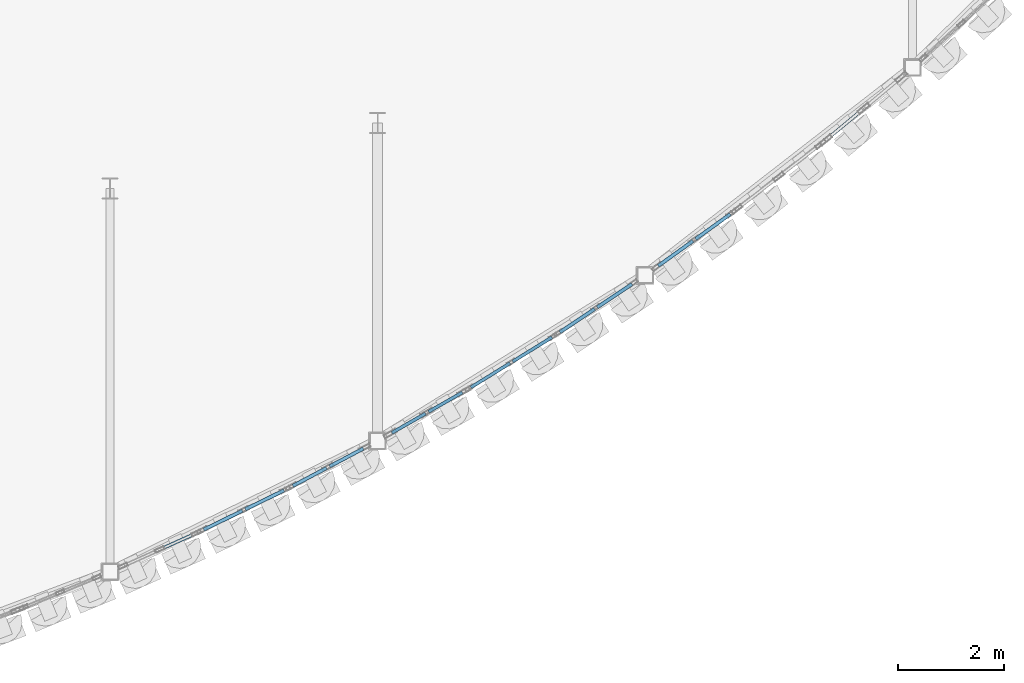
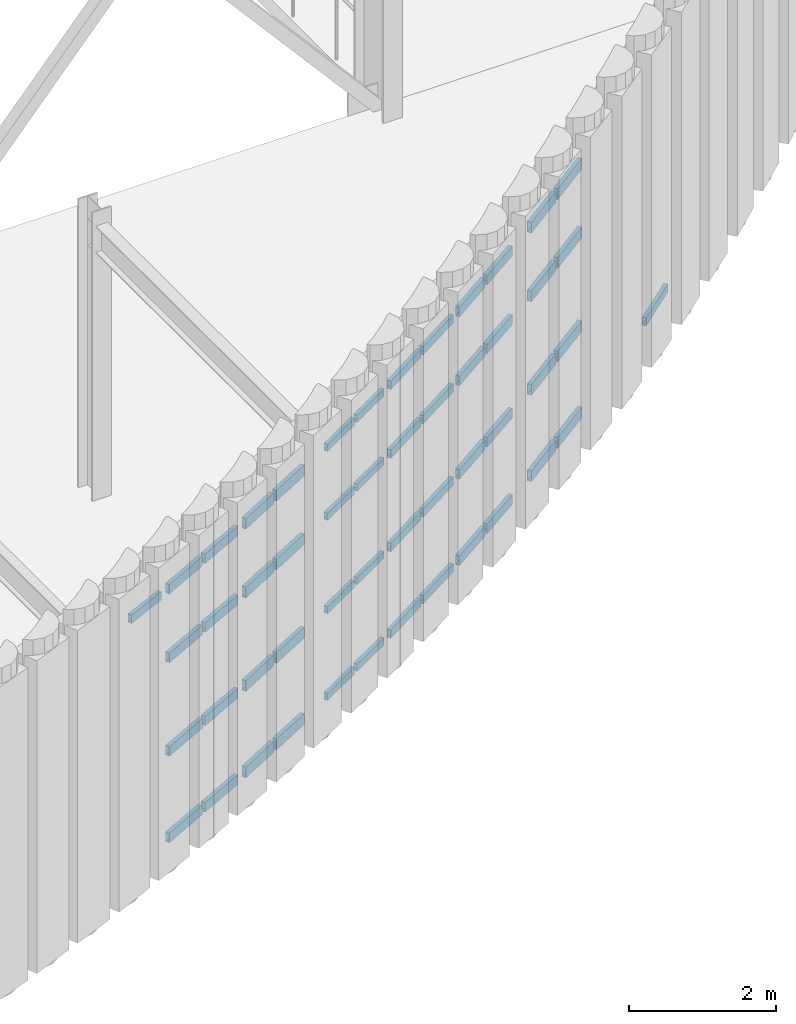
# One storey, part 78 of 126: 50 members, 8 elements without a shape of their own.
"""IFC4 building model written with IfcOpenShell, lengths in metres."""

import ifcopenshell
import ifcopenshell.guid

model = None  # the IFC model being written
_history = None  # IfcOwnerHistory: only IFC2X3 demands one
_inside = {}  # id of a spatial element -> (the spatial element, [elements in it])
_under = {}  # id of a project, library or spatial element -> (it, [spatial elements below it])
_declared = {}  # id of a project -> (the project, [libraries it declares])
_typed = {}  # id of a type object -> (the type object, [elements of that type])
_made_of = {}  # id of a material, layer set ... -> (it, [elements and type objects made of it])


def new_model(schema):
    """Start an empty IFC model of exactly this schema.

    Asked for "IFC4X3", IfcOpenShell would pick the latest addendum, in which some entities
    have other attributes; the version numbers below select the first issue.
    IFC2X3 requires an IfcOwnerHistory on every rooted entity: one is made here for all.
    """
    global model, _history
    if schema == "IFC4X3":
        model = ifcopenshell.file(schema_version=(4, 3, 0, 0))
    else:
        model = ifcopenshell.file(schema=schema)
    _inside.clear()
    _under.clear()
    _declared.clear()
    _typed.clear()
    _made_of.clear()
    _history = None
    if model.schema == "IFC2X3":
        org = make("IfcOrganization", Name="unknown")
        user = make(
            "IfcPersonAndOrganization",
            ThePerson=make("IfcPerson", FamilyName="unknown"),
            TheOrganization=org,
        )
        app = make(
            "IfcApplication",
            ApplicationDeveloper=org,
            Version="unknown",
            ApplicationFullName="unknown",
            ApplicationIdentifier="unknown",
        )
        _history = make(
            "IfcOwnerHistory",
            OwningUser=user,
            OwningApplication=app,
            ChangeAction="ADDED",
            CreationDate=0,
        )
    return model


def make(cls, **values):
    """One entity of the class cls with the attributes given. An attribute that is None is left unset."""
    return model.create_entity(
        cls, **{name: value for name, value in values.items() if value is not None}
    )


def rooted(cls, **values):
    """An entity with a GlobalId (a new one), such as an element, a storey or a relation."""
    return make(cls, GlobalId=ifcopenshell.guid.new(), OwnerHistory=_history, **values)


def si_unit(unit_type, name, prefix=None):
    """IfcSIUnit, for example si_unit("LENGTHUNIT", "METRE", prefix="MILLI")."""
    return make("IfcSIUnit", UnitType=unit_type, Prefix=prefix, Name=name)


def assignment(units):
    """IfcUnitAssignment: the units of a project."""
    return None if units is None else make("IfcUnitAssignment", Units=units)


def point(xyz):
    """IfcCartesianPoint."""
    return None if xyz is None else make("IfcCartesianPoint", Coordinates=xyz)


def direction(xyz):
    """IfcDirection."""
    return None if xyz is None else make("IfcDirection", DirectionRatios=xyz)


def frame(location, z_axis=None, x_axis=None):
    """IfcAxis2Placement3D, a coordinate frame: its origin and axes. An axis left out is left unset."""
    return make(
        "IfcAxis2Placement3D",
        Location=point(location),
        Axis=direction(z_axis),
        RefDirection=direction(x_axis),
    )


def frame_2d(location, x_axis=None):
    """IfcAxis2Placement2D, a coordinate frame in the plane: its origin and x axis."""
    return make(
        "IfcAxis2Placement2D", Location=point(location), RefDirection=direction(x_axis)
    )


def origin():
    """The frame at (0, 0, 0) with its axes left unset."""
    return frame((0.0, 0.0, 0.0))


def origin_2d():
    """The frame at (0, 0) in the plane with its x axis left unset."""
    return frame_2d((0.0, 0.0))


def place(relative_to, where):
    """IfcLocalPlacement: puts the frame where relative to a parent placement (None: the world)."""
    return make(
        "IfcLocalPlacement", PlacementRelTo=relative_to, RelativePlacement=where
    )


def context(
    kind, dimensions, precision=None, world=None, true_north=None, identifier=None
):
    """IfcGeometricRepresentationContext, for example the 3D "Model" context."""
    return make(
        "IfcGeometricRepresentationContext",
        ContextIdentifier=identifier,
        ContextType=kind,
        CoordinateSpaceDimension=dimensions,
        Precision=precision,
        WorldCoordinateSystem=world,
        TrueNorth=true_north,
    )


def subcontext(parent, identifier, kind, view, scale=None):
    """IfcGeometricRepresentationSubContext, for example "Body" below "Model"."""
    return make(
        "IfcGeometricRepresentationSubContext",
        ContextIdentifier=identifier,
        ContextType=kind,
        ParentContext=parent,
        TargetScale=scale,
        TargetView=view,
    )


def project(units=None, contexts=None):
    """IfcProject with its units and contexts."""
    return rooted(
        "IfcProject",
        Name="project",
        RepresentationContexts=contexts,
        UnitsInContext=assignment(units),
    )


def spatial(cls, under=None, at=None, **own):
    """A site, building, storey or space (cls), placed at a placement, below another one or the project."""
    s = rooted(cls, ObjectPlacement=at, **own)
    if under is not None:
        _under.setdefault(under.id(), (under, []))[1].append(s)
    return s


def profile(cls, at=None, kind="AREA", **sizes):
    """A parametric profile (cls). Its sizes go by their IFC names, for example OverallWidth=200.0."""
    return make(cls, ProfileType=kind, Position=at, **sizes)


def hollow_rectangle(**sizes):
    """IfcRectangleHollowProfileDef."""
    return profile("IfcRectangleHollowProfileDef", **sizes)


def extrude(swept, where, along, depth):
    """IfcExtrudedAreaSolid: the profile swept, set in the frame where, extruded along a direction by depth."""
    return make(
        "IfcExtrudedAreaSolid",
        SweptArea=swept,
        Position=where,
        ExtrudedDirection=direction(along),
        Depth=depth,
    )


def shape(context_of_items, identifier, shape_type, items):
    """IfcShapeRepresentation: the items that make up one representation, for example the "Body"."""
    return make(
        "IfcShapeRepresentation",
        ContextOfItems=context_of_items,
        RepresentationIdentifier=identifier,
        RepresentationType=shape_type,
        Items=items,
    )


def material(Name=None, Category=None):
    """IfcMaterial."""
    return make("IfcMaterial", Name=Name, Category=Category)


def layer(
    of_material, thickness, ventilated=None, Name=None, Category=None, Priority=None
):
    """IfcMaterialLayer: one layer of a wall or slab, of a material (None: an air gap)."""
    return make(
        "IfcMaterialLayer",
        Material=of_material,
        LayerThickness=thickness,
        IsVentilated=ventilated,
        Name=Name,
        Category=Category,
        Priority=Priority,
    )


def layer_set(layers, Name=None):
    """IfcMaterialLayerSet."""
    return make("IfcMaterialLayerSet", MaterialLayers=layers, LayerSetName=Name)


def material_profile(
    of_material, cross_section, Name=None, Category=None, Priority=None
):
    """IfcMaterialProfile: a cross section and its material."""
    return make(
        "IfcMaterialProfile",
        Name=Name,
        Material=of_material,
        Profile=cross_section,
        Priority=Priority,
        Category=Category,
    )


def profile_set(profiles, Name=None, composite=None):
    """IfcMaterialProfileSet."""
    return make(
        "IfcMaterialProfileSet",
        Name=Name,
        MaterialProfiles=profiles,
        CompositeProfile=composite,
    )


def made_of(thing, what):
    """Note that an element or type object is made of a material, layer set ...; save() writes the relation."""
    if what is not None:
        _made_of.setdefault(what.id(), (what, []))[1].append(thing)
    return thing


def type_object(cls, material=None, **own):
    """A type object (cls), such as IfcWallType, which elements share."""
    return made_of(rooted(cls, **own), material)


def element(
    cls,
    number,
    at=None,
    inside=None,
    cuts=None,
    type_object=None,
    material=None,
    context=None,
    identifier="Body",
    shape_type=None,
    held_by="IfcProductDefinitionShape",
    body=None,
    shapes=None,
    **own,
):
    """One element of the class cls, such as IfcWall. Its Tag is "e" and its number.

    at: its placement. inside: the storey or other place that contains it. cuts: it is an
    opening in that element (IfcRelVoidsElement). A single representation is given by context,
    identifier, shape_type and body (its items); several are given by shapes. held_by: the class
    of the entity that holds the representations. save() writes the other relations.
    """
    e = rooted(cls, Tag="e%d" % number, ObjectPlacement=at, **own)
    if body is not None:
        shapes = [shape(context, identifier, shape_type, body)]
    if shapes is not None:
        e.Representation = make(held_by, Representations=shapes)
    if inside is not None:
        _inside.setdefault(inside.id(), (inside, []))[1].append(e)
    if cuts is not None:
        rooted(
            "IfcRelVoidsElement", RelatingBuildingElement=cuts, RelatedOpeningElement=e
        )
    if type_object is not None:
        _typed.setdefault(type_object.id(), (type_object, []))[1].append(e)
    return made_of(e, material)


def aggregate(whole, parts):
    """IfcRelAggregates: a whole, such as a stair, and the parts it consists of."""
    return rooted("IfcRelAggregates", RelatingObject=whole, RelatedObjects=parts)


def save(model, path):
    """Write the relations noted so far, then the file.

    IfcRelAggregates (storeys below a building ...), IfcRelContainedInSpatialStructure (elements
    in a storey), IfcRelDefinesByType, IfcRelAssociatesMaterial and IfcRelDeclares: one each for
    every whole, place, type object, material and project.
    """
    for whole, parts in _under.values():
        aggregate(whole, parts)
    for where, things in _inside.values():
        rooted(
            "IfcRelContainedInSpatialStructure",
            RelatedElements=things,
            RelatingStructure=where,
        )
    for kind, things in _typed.values():
        rooted("IfcRelDefinesByType", RelatedObjects=things, RelatingType=kind)
    for what, things in _made_of.values():
        rooted("IfcRelAssociatesMaterial", RelatedObjects=things, RelatingMaterial=what)
    for by, libraries in _declared.values():
        rooted("IfcRelDeclares", RelatingContext=by, RelatedDefinitions=libraries)
    model.write(path)


model = new_model("IFC4")

# Units and contexts
model_context = context("Model", 3, precision=1e-05, world=origin(), true_north=direction((0.0, 1.0)))
body_context = subcontext(model_context, "Body", "Model", "MODEL_VIEW")
ifc_project = project(units=[si_unit("LENGTHUNIT", "METRE"), si_unit("AREAUNIT", "SQUARE_METRE"), si_unit("VOLUMEUNIT", "CUBIC_METRE"), si_unit("PLANEANGLEUNIT", "RADIAN"), si_unit("MASSUNIT", "GRAM", prefix="KILO")], contexts=[model_context])

# Site, building, storey
site_placement = place(None, origin())
site = spatial("IfcSite", under=ifc_project, at=site_placement, CompositionType="ELEMENT")
building_placement = place(site_placement, origin())
building = spatial("IfcBuilding", under=site, at=building_placement, Name="Solvadek Multi-Sports Hall", CompositionType="ELEMENT")
storey_placement = place(building_placement, frame((0.0, 0.0, 9.60009765625)))
storey = spatial("IfcBuildingStorey", under=building, at=storey_placement, Name="L02", CompositionType="ELEMENT", Elevation=9.60009765625)

# Curtain wall, members
ifc_material = material(Name="Anodised aluminium", Category="aluminium")
ifc_layer_1 = layer(ifc_material, 0.159912109375, Name="Anodised aluminium")
ifc_layer_set_1 = layer_set([ifc_layer_1], Name="Anodised aluminium")
curtain_wall_type_1 = type_object("IfcCurtainWallType", Name="ENV-CW-167X420", PredefinedType="USERDEFINED", material=ifc_layer_set_1)
curtain_wall_1_placement = place(storey_placement, origin())
curtain_wall_1 = element("IfcCurtainWall", 1, at=curtain_wall_1_placement, inside=storey, type_object=curtain_wall_type_1, Name="L02 Crescent Curved Curtain Wall #98", ObjectType="CURTAIN WALL", PredefinedType="USERDEFINED")
ifc_material_profile_1 = material_profile(ifc_material, hollow_rectangle(XDim=0.06005859375, YDim=0.1201171875, WallThickness=0.00390625, at=origin_2d()), Name="ALU-T 120x60x4")
ifc_profile_set_1 = profile_set([ifc_material_profile_1], Name="Anodised aluminium")
member_type_1 = type_object("IfcMemberType", Name="ENV-CWT-01", PredefinedType="USERDEFINED", material=ifc_profile_set_1)
member_1_placement = place(storey_placement, frame((121.948974609375, -5.823974609375, 0.02978515625), z_axis=(0.867788817102, 0.496933163426, 0.0), x_axis=(-0.496933163426, 0.867788817102, 0.0)))
member_1 = element("IfcMember", 2, at=member_1_placement, type_object=member_type_1, Name="CW-30 transom 1.1", ObjectType="TRANSOM", PredefinedType="USERDEFINED", context=body_context, shape_type="SweptSolid", body=[
    extrude(hollow_rectangle(XDim=0.06005859375, YDim=0.1201171875, WallThickness=0.00390625, at=origin_2d()), origin(), (0.0, 0.0, 1.0), 0.72802734375),
])
member_2_placement = place(storey_placement, frame((121.948974609375, -5.823974609375, 1.469970703125), z_axis=(0.867788817102, 0.496933163426, 0.0), x_axis=(-0.496933163426, 0.867788817102, 0.0)))
member_2 = element("IfcMember", 3, at=member_2_placement, type_object=member_type_1, Name="CW-30 transom 1.2", ObjectType="TRANSOM", PredefinedType="USERDEFINED", context=body_context, shape_type="SweptSolid", body=[
    extrude(hollow_rectangle(XDim=0.06005859375, YDim=0.1201171875, WallThickness=0.00390625, at=origin_2d()), origin(), (0.0, 0.0, 1.0), 0.72802734375),
])
member_3_placement = place(storey_placement, frame((121.948974609375, -5.823974609375, 3.02392578125), z_axis=(0.867788817102, 0.496933163426, 0.0), x_axis=(-0.496933163426, 0.867788817102, 0.0)))
member_3 = element("IfcMember", 4, at=member_3_placement, type_object=member_type_1, Name="CW-30 transom 1.3", ObjectType="TRANSOM", PredefinedType="USERDEFINED", context=body_context, shape_type="SweptSolid", body=[
    extrude(hollow_rectangle(XDim=0.06005859375, YDim=0.1201171875, WallThickness=0.00390625, at=origin_2d()), origin(), (0.0, 0.0, 1.0), 0.72802734375),
])
member_4_placement = place(storey_placement, frame((121.948974609375, -5.823974609375, 4.169921875), z_axis=(0.867788817102, 0.496933163426, 0.0), x_axis=(-0.496933163426, 0.867788817102, 0.0)))
member_4 = element("IfcMember", 5, at=member_4_placement, type_object=member_type_1, Name="CW-30 transom 1.4", ObjectType="TRANSOM", PredefinedType="USERDEFINED", context=body_context, shape_type="SweptSolid", body=[
    extrude(hollow_rectangle(XDim=0.06005859375, YDim=0.1201171875, WallThickness=0.00390625, at=origin_2d()), origin(), (0.0, 0.0, 1.0), 0.72802734375),
])
member_5_placement = place(storey_placement, frame((122.6416015625, -5.42724609375, 0.02978515625), z_axis=(0.867705978012, 0.497077796449, 0.0), x_axis=(-0.497077796449, 0.867705978012, 0.0)))
member_5 = element("IfcMember", 6, at=member_5_placement, type_object=member_type_1, Name="CW-30 transom 2.1", ObjectType="TRANSOM", PredefinedType="USERDEFINED", context=body_context, shape_type="SweptSolid", body=[
    extrude(hollow_rectangle(XDim=0.06005859375, YDim=0.1201171875, WallThickness=0.00390625, at=origin_2d()), origin(), (0.0, 0.0, 1.0), 0.727783203125),
])
member_6_placement = place(storey_placement, frame((122.6416015625, -5.42724609375, 1.469970703125), z_axis=(0.867705978012, 0.497077796449, 0.0), x_axis=(-0.497077796449, 0.867705978012, 0.0)))
member_6 = element("IfcMember", 7, at=member_6_placement, type_object=member_type_1, Name="CW-30 transom 2.2", ObjectType="TRANSOM", PredefinedType="USERDEFINED", context=body_context, shape_type="SweptSolid", body=[
    extrude(hollow_rectangle(XDim=0.06005859375, YDim=0.1201171875, WallThickness=0.00390625, at=origin_2d()), origin(), (0.0, 0.0, 1.0), 0.727783203125),
])
member_7_placement = place(storey_placement, frame((122.6416015625, -5.42724609375, 3.02392578125), z_axis=(0.867705978012, 0.497077796449, 0.0), x_axis=(-0.497077796449, 0.867705978012, 0.0)))
member_7 = element("IfcMember", 8, at=member_7_placement, type_object=member_type_1, Name="CW-30 transom 2.3", ObjectType="TRANSOM", PredefinedType="USERDEFINED", context=body_context, shape_type="SweptSolid", body=[
    extrude(hollow_rectangle(XDim=0.06005859375, YDim=0.1201171875, WallThickness=0.00390625, at=origin_2d()), origin(), (0.0, 0.0, 1.0), 0.727783203125),
])
member_8_placement = place(storey_placement, frame((122.6416015625, -5.42724609375, 4.169921875), z_axis=(0.867705978012, 0.497077796449, 0.0), x_axis=(-0.497077796449, 0.867705978012, 0.0)))
member_8 = element("IfcMember", 9, at=member_8_placement, type_object=member_type_1, Name="CW-30 transom 2.4", ObjectType="TRANSOM", PredefinedType="USERDEFINED", context=body_context, shape_type="SweptSolid", body=[
    extrude(hollow_rectangle(XDim=0.06005859375, YDim=0.1201171875, WallThickness=0.00390625, at=origin_2d()), origin(), (0.0, 0.0, 1.0), 0.727783203125),
])
aggregate(curtain_wall_1, [member_1, member_2, member_3, member_4, member_5, member_6, member_7, member_8])

# Curtain wall, member
ifc_layer_2 = layer(ifc_material, 0.159912109375, Name="Anodised aluminium")
ifc_layer_set_2 = layer_set([ifc_layer_2], Name="Anodised aluminium")
curtain_wall_type_2 = type_object("IfcCurtainWallType", Name="ENV-CW-157X420", PredefinedType="USERDEFINED", material=ifc_layer_set_2)
curtain_wall_2_placement = place(storey_placement, origin())
curtain_wall_2 = element("IfcCurtainWall", 10, at=curtain_wall_2_placement, inside=storey, type_object=curtain_wall_type_2, Name="L02 Crescent Curved Curtain Wall #92", ObjectType="CURTAIN WALL", PredefinedType="USERDEFINED")
ifc_material_profile_2 = material_profile(ifc_material, hollow_rectangle(XDim=0.06005859375, YDim=0.139892578125, WallThickness=0.00390625, at=origin_2d()), Name="ALU-T 140x60x4")
ifc_profile_set_2 = profile_set([ifc_material_profile_2], Name="Anodised aluminium")
member_type_2 = type_object("IfcMemberType", Name="ENV-CWT-02", PredefinedType="USERDEFINED", material=ifc_profile_set_2)
member_9_placement = place(storey_placement, frame((117.60302734375, -8.011962890625, 4.169921875), z_axis=(0.911921505175, 0.410364677329, 0.0), x_axis=(-0.410364677329, 0.911921505175, 0.0)))
member_9 = element("IfcMember", 11, at=member_9_placement, type_object=member_type_2, Name="CW-17 transom 2.4", ObjectType="TRANSOM", PredefinedType="USERDEFINED", context=body_context, shape_type="SweptSolid", body=[
    extrude(hollow_rectangle(XDim=0.06005859375, YDim=0.139892578125, WallThickness=0.00390625, at=origin_2d()), origin(), (0.0, 0.0, 1.0), 0.696044921875),
])
aggregate(curtain_wall_2, [member_9])

# Curtain wall, members
ifc_layer_3 = layer(ifc_material, 0.159912109375, Name="Anodised aluminium")
ifc_layer_set_3 = layer_set([ifc_layer_3], Name="Anodised aluminium")
curtain_wall_type_3 = type_object("IfcCurtainWallType", Name="ENV-CW-192X420", PredefinedType="USERDEFINED", material=ifc_layer_set_3)
curtain_wall_3_placement = place(storey_placement, origin())
curtain_wall_3 = element("IfcCurtainWall", 12, at=curtain_wall_3_placement, inside=storey, type_object=curtain_wall_type_3, Name="L02 Crescent Curved Curtain Wall #100", ObjectType="CURTAIN WALL", PredefinedType="USERDEFINED")
member_10_placement = place(storey_placement, frame((123.4365234375, -4.968505859375, 0.02978515625), z_axis=(0.850564823363, 0.52587021332, 0.0), x_axis=(-0.52587021332, 0.850564823363, 0.0)))
member_10 = element("IfcMember", 13, at=member_10_placement, type_object=member_type_2, Name="CW-31 transom 1.1", ObjectType="TRANSOM", PredefinedType="USERDEFINED", context=body_context, shape_type="SweptSolid", body=[
    extrude(hollow_rectangle(XDim=0.06005859375, YDim=0.139892578125, WallThickness=0.00390625, at=origin_2d()), origin(), (0.0, 0.0, 1.0), 0.86767578125),
])
member_11_placement = place(storey_placement, frame((123.4365234375, -4.968505859375, 1.469970703125), z_axis=(0.850564823363, 0.52587021332, 0.0), x_axis=(-0.52587021332, 0.850564823363, 0.0)))
member_11 = element("IfcMember", 14, at=member_11_placement, type_object=member_type_2, Name="CW-31 transom 1.2", ObjectType="TRANSOM", PredefinedType="USERDEFINED", context=body_context, shape_type="SweptSolid", body=[
    extrude(hollow_rectangle(XDim=0.06005859375, YDim=0.139892578125, WallThickness=0.00390625, at=origin_2d()), origin(), (0.0, 0.0, 1.0), 0.86767578125),
])
member_12_placement = place(storey_placement, frame((123.4365234375, -4.968505859375, 3.02392578125), z_axis=(0.850564823363, 0.52587021332, 0.0), x_axis=(-0.52587021332, 0.850564823363, 0.0)))
member_12 = element("IfcMember", 15, at=member_12_placement, type_object=member_type_2, Name="CW-31 transom 1.3", ObjectType="TRANSOM", PredefinedType="USERDEFINED", context=body_context, shape_type="SweptSolid", body=[
    extrude(hollow_rectangle(XDim=0.06005859375, YDim=0.139892578125, WallThickness=0.00390625, at=origin_2d()), origin(), (0.0, 0.0, 1.0), 0.86767578125),
])
member_13_placement = place(storey_placement, frame((123.4365234375, -4.968505859375, 4.169921875), z_axis=(0.850564823363, 0.52587021332, 0.0), x_axis=(-0.52587021332, 0.850564823363, 0.0)))
member_13 = element("IfcMember", 16, at=member_13_placement, type_object=member_type_2, Name="CW-31 transom 1.4", ObjectType="TRANSOM", PredefinedType="USERDEFINED", context=body_context, shape_type="SweptSolid", body=[
    extrude(hollow_rectangle(XDim=0.06005859375, YDim=0.139892578125, WallThickness=0.00390625, at=origin_2d()), origin(), (0.0, 0.0, 1.0), 0.86767578125),
])
member_14_placement = place(storey_placement, frame((124.2255859375, -4.480712890625, 0.02978515625), z_axis=(0.850612880628, 0.525792475517, 0.0), x_axis=(-0.525792475517, 0.850612880628, 0.0)))
member_14 = element("IfcMember", 17, at=member_14_placement, type_object=member_type_2, Name="CW-31 transom 2.1", ObjectType="TRANSOM", PredefinedType="USERDEFINED", context=body_context, shape_type="SweptSolid", body=[
    extrude(hollow_rectangle(XDim=0.06005859375, YDim=0.139892578125, WallThickness=0.00390625, at=origin_2d()), origin(), (0.0, 0.0, 1.0), 0.867431640625),
])
member_15_placement = place(storey_placement, frame((124.2255859375, -4.480712890625, 1.469970703125), z_axis=(0.850612880628, 0.525792475517, 0.0), x_axis=(-0.525792475517, 0.850612880628, 0.0)))
member_15 = element("IfcMember", 18, at=member_15_placement, type_object=member_type_2, Name="CW-31 transom 2.2", ObjectType="TRANSOM", PredefinedType="USERDEFINED", context=body_context, shape_type="SweptSolid", body=[
    extrude(hollow_rectangle(XDim=0.06005859375, YDim=0.139892578125, WallThickness=0.00390625, at=origin_2d()), origin(), (0.0, 0.0, 1.0), 0.867431640625),
])
member_16_placement = place(storey_placement, frame((124.2255859375, -4.480712890625, 3.02392578125), z_axis=(0.850612880628, 0.525792475517, 0.0), x_axis=(-0.525792475517, 0.850612880628, 0.0)))
member_16 = element("IfcMember", 19, at=member_16_placement, type_object=member_type_2, Name="CW-31 transom 2.3", ObjectType="TRANSOM", PredefinedType="USERDEFINED", context=body_context, shape_type="SweptSolid", body=[
    extrude(hollow_rectangle(XDim=0.06005859375, YDim=0.139892578125, WallThickness=0.00390625, at=origin_2d()), origin(), (0.0, 0.0, 1.0), 0.867431640625),
])
member_17_placement = place(storey_placement, frame((124.2255859375, -4.480712890625, 4.169921875), z_axis=(0.850612880628, 0.525792475517, 0.0), x_axis=(-0.525792475517, 0.850612880628, 0.0)))
member_17 = element("IfcMember", 20, at=member_17_placement, type_object=member_type_2, Name="CW-31 transom 2.4", ObjectType="TRANSOM", PredefinedType="USERDEFINED", context=body_context, shape_type="SweptSolid", body=[
    extrude(hollow_rectangle(XDim=0.06005859375, YDim=0.139892578125, WallThickness=0.00390625, at=origin_2d()), origin(), (0.0, 0.0, 1.0), 0.867431640625),
])
aggregate(curtain_wall_3, [member_10, member_11, member_12, member_13, member_14, member_15, member_16, member_17])

# Curtain wall, member
curtain_wall_4_placement = place(storey_placement, origin())
curtain_wall_4 = element("IfcCurtainWall", 21, at=curtain_wall_4_placement, inside=storey, type_object=curtain_wall_type_3, Name="L02 Crescent Curved Curtain Wall #108", ObjectType="CURTAIN WALL", PredefinedType="USERDEFINED")
member_18_placement = place(storey_placement, frame((130.15673828125, -0.283935546875, 0.02978515625), z_axis=(0.767283865941, 0.641307624363, 0.0), x_axis=(-0.641307624363, 0.767283865941, 0.0)))
member_18 = element("IfcMember", 22, at=member_18_placement, type_object=member_type_2, Name="CW-31 transom 1.1", ObjectType="TRANSOM", PredefinedType="USERDEFINED", context=body_context, shape_type="SweptSolid", body=[
    extrude(hollow_rectangle(XDim=0.06005859375, YDim=0.139892578125, WallThickness=0.00390625, at=origin_2d()), origin(), (0.0, 0.0, 1.0), 0.854736328125),
])
aggregate(curtain_wall_4, [member_18])

# Curtain wall, members
ifc_layer_4 = layer(ifc_material, 0.159912109375, Name="Anodised aluminium")
ifc_layer_set_4 = layer_set([ifc_layer_4], Name="Anodised aluminium")
curtain_wall_type_4 = type_object("IfcCurtainWallType", Name="ENV-CW-181X420", PredefinedType="USERDEFINED", material=ifc_layer_set_4)
curtain_wall_5_placement = place(storey_placement, origin())
curtain_wall_5 = element("IfcCurtainWall", 23, at=curtain_wall_5_placement, inside=storey, type_object=curtain_wall_type_4, Name="L02 Crescent Curved Curtain Wall #94", ObjectType="CURTAIN WALL", PredefinedType="USERDEFINED")
ifc_material_profile_3 = material_profile(ifc_material, hollow_rectangle(XDim=0.06494140625, YDim=0.159912109375, WallThickness=0.00390625, at=origin_2d()), Name="ALU-T 160x65x4")
ifc_profile_set_3 = profile_set([ifc_material_profile_3], Name="Anodised aluminium")
member_type_3 = type_object("IfcMemberType", Name="ENV-CWT-03", PredefinedType="USERDEFINED", material=ifc_profile_set_3)
member_19_placement = place(storey_placement, frame((118.4052734375, -7.6474609375, 0.032470703125), z_axis=(0.898500968415, 0.438971536386, 0.0), x_axis=(-0.438971536386, 0.898500968415, 0.0)))
member_19 = element("IfcMember", 24, at=member_19_placement, type_object=member_type_3, Name="CW-16 transom 1.1", ObjectType="TRANSOM", PredefinedType="USERDEFINED", context=body_context, shape_type="SweptSolid", body=[
    extrude(hollow_rectangle(XDim=0.06494140625, YDim=0.159912109375, WallThickness=0.00390625, at=origin_2d()), origin(), (0.0, 0.0, 1.0), 0.8076171875),
])
member_20_placement = place(storey_placement, frame((118.4052734375, -7.6474609375, 1.469970703125), z_axis=(0.898500968415, 0.438971536386, 0.0), x_axis=(-0.438971536386, 0.898500968415, 0.0)))
member_20 = element("IfcMember", 25, at=member_20_placement, type_object=member_type_3, Name="CW-16 transom 1.2", ObjectType="TRANSOM", PredefinedType="USERDEFINED", context=body_context, shape_type="SweptSolid", body=[
    extrude(hollow_rectangle(XDim=0.06494140625, YDim=0.159912109375, WallThickness=0.00390625, at=origin_2d()), origin(), (0.0, 0.0, 1.0), 0.8076171875),
])
member_21_placement = place(storey_placement, frame((118.4052734375, -7.6474609375, 3.02392578125), z_axis=(0.898500968415, 0.438971536386, 0.0), x_axis=(-0.438971536386, 0.898500968415, 0.0)))
member_21 = element("IfcMember", 26, at=member_21_placement, type_object=member_type_3, Name="CW-16 transom 1.3", ObjectType="TRANSOM", PredefinedType="USERDEFINED", context=body_context, shape_type="SweptSolid", body=[
    extrude(hollow_rectangle(XDim=0.06494140625, YDim=0.159912109375, WallThickness=0.00390625, at=origin_2d()), origin(), (0.0, 0.0, 1.0), 0.8076171875),
])
member_22_placement = place(storey_placement, frame((118.4052734375, -7.6474609375, 4.16748046875), z_axis=(0.898500968415, 0.438971536386, 0.0), x_axis=(-0.438971536386, 0.898500968415, 0.0)))
member_22 = element("IfcMember", 27, at=member_22_placement, type_object=member_type_3, Name="CW-16 transom 1.4", ObjectType="TRANSOM", PredefinedType="USERDEFINED", context=body_context, shape_type="SweptSolid", body=[
    extrude(hollow_rectangle(XDim=0.06494140625, YDim=0.159912109375, WallThickness=0.00390625, at=origin_2d()), origin(), (0.0, 0.0, 1.0), 0.8076171875),
])
member_23_placement = place(storey_placement, frame((119.189208984375, -7.264404296875, 0.032470703125), z_axis=(0.898323373316, 0.439334857431, 0.0), x_axis=(-0.439334857431, 0.898323373316, 0.0)))
member_23 = element("IfcMember", 28, at=member_23_placement, type_object=member_type_3, Name="CW-16 transom 2.1", ObjectType="TRANSOM", PredefinedType="USERDEFINED", context=body_context, shape_type="SweptSolid", body=[
    extrude(hollow_rectangle(XDim=0.06494140625, YDim=0.159912109375, WallThickness=0.00390625, at=origin_2d()), origin(), (0.0, 0.0, 1.0), 0.807373046875),
])
member_24_placement = place(storey_placement, frame((119.189208984375, -7.264404296875, 1.469970703125), z_axis=(0.898323373316, 0.439334857431, 0.0), x_axis=(-0.439334857431, 0.898323373316, 0.0)))
member_24 = element("IfcMember", 29, at=member_24_placement, type_object=member_type_3, Name="CW-16 transom 2.2", ObjectType="TRANSOM", PredefinedType="USERDEFINED", context=body_context, shape_type="SweptSolid", body=[
    extrude(hollow_rectangle(XDim=0.06494140625, YDim=0.159912109375, WallThickness=0.00390625, at=origin_2d()), origin(), (0.0, 0.0, 1.0), 0.807373046875),
])
member_25_placement = place(storey_placement, frame((119.189208984375, -7.264404296875, 3.02392578125), z_axis=(0.898323373316, 0.439334857431, 0.0), x_axis=(-0.439334857431, 0.898323373316, 0.0)))
member_25 = element("IfcMember", 30, at=member_25_placement, type_object=member_type_3, Name="CW-16 transom 2.3", ObjectType="TRANSOM", PredefinedType="USERDEFINED", context=body_context, shape_type="SweptSolid", body=[
    extrude(hollow_rectangle(XDim=0.06494140625, YDim=0.159912109375, WallThickness=0.00390625, at=origin_2d()), origin(), (0.0, 0.0, 1.0), 0.807373046875),
])
member_26_placement = place(storey_placement, frame((119.189208984375, -7.264404296875, 4.16748046875), z_axis=(0.898323373316, 0.439334857431, 0.0), x_axis=(-0.439334857431, 0.898323373316, 0.0)))
member_26 = element("IfcMember", 31, at=member_26_placement, type_object=member_type_3, Name="CW-16 transom 2.4", ObjectType="TRANSOM", PredefinedType="USERDEFINED", context=body_context, shape_type="SweptSolid", body=[
    extrude(hollow_rectangle(XDim=0.06494140625, YDim=0.159912109375, WallThickness=0.00390625, at=origin_2d()), origin(), (0.0, 0.0, 1.0), 0.807373046875),
])
aggregate(curtain_wall_5, [member_19, member_20, member_21, member_22, member_23, member_24, member_25, member_26])

ifc_layer_5 = layer(ifc_material, 0.159912109375, Name="Anodised aluminium")
ifc_layer_set_5 = layer_set([ifc_layer_5], Name="Anodised aluminium")
curtain_wall_type_5 = type_object("IfcCurtainWallType", Name="ENV-CW-175X420", PredefinedType="USERDEFINED", material=ifc_layer_set_5)
curtain_wall_6_placement = place(storey_placement, origin())
curtain_wall_6 = element("IfcCurtainWall", 32, at=curtain_wall_6_placement, inside=storey, type_object=curtain_wall_type_5, Name="L02 Crescent Curved Curtain Wall #102", ObjectType="CURTAIN WALL", PredefinedType="USERDEFINED")
member_27_placement = place(storey_placement, frame((125.114990234375, -3.92724609375, 0.032470703125), z_axis=(0.831906623753, 0.554915641658, 0.0), x_axis=(-0.554915641658, 0.831906623753, 0.0)))
member_27 = element("IfcMember", 33, at=member_27_placement, type_object=member_type_3, Name="CW-32 transom 1.1", ObjectType="TRANSOM", PredefinedType="USERDEFINED", context=body_context, shape_type="SweptSolid", body=[
    extrude(hollow_rectangle(XDim=0.06494140625, YDim=0.159912109375, WallThickness=0.00390625, at=origin_2d()), origin(), (0.0, 0.0, 1.0), 0.784423828125),
])
member_28_placement = place(storey_placement, frame((125.114990234375, -3.92724609375, 1.469970703125), z_axis=(0.831906623753, 0.554915641658, 0.0), x_axis=(-0.554915641658, 0.831906623753, 0.0)))
member_28 = element("IfcMember", 34, at=member_28_placement, type_object=member_type_3, Name="CW-32 transom 1.2", ObjectType="TRANSOM", PredefinedType="USERDEFINED", context=body_context, shape_type="SweptSolid", body=[
    extrude(hollow_rectangle(XDim=0.06494140625, YDim=0.159912109375, WallThickness=0.00390625, at=origin_2d()), origin(), (0.0, 0.0, 1.0), 0.784423828125),
])
member_29_placement = place(storey_placement, frame((125.114990234375, -3.92724609375, 3.02392578125), z_axis=(0.831906623753, 0.554915641658, 0.0), x_axis=(-0.554915641658, 0.831906623753, 0.0)))
member_29 = element("IfcMember", 35, at=member_29_placement, type_object=member_type_3, Name="CW-32 transom 1.3", ObjectType="TRANSOM", PredefinedType="USERDEFINED", context=body_context, shape_type="SweptSolid", body=[
    extrude(hollow_rectangle(XDim=0.06494140625, YDim=0.159912109375, WallThickness=0.00390625, at=origin_2d()), origin(), (0.0, 0.0, 1.0), 0.784423828125),
])
member_30_placement = place(storey_placement, frame((125.114990234375, -3.92724609375, 4.16748046875), z_axis=(0.831906623753, 0.554915641658, 0.0), x_axis=(-0.554915641658, 0.831906623753, 0.0)))
member_30 = element("IfcMember", 36, at=member_30_placement, type_object=member_type_3, Name="CW-32 transom 1.4", ObjectType="TRANSOM", PredefinedType="USERDEFINED", context=body_context, shape_type="SweptSolid", body=[
    extrude(hollow_rectangle(XDim=0.06494140625, YDim=0.159912109375, WallThickness=0.00390625, at=origin_2d()), origin(), (0.0, 0.0, 1.0), 0.784423828125),
])
member_31_placement = place(storey_placement, frame((125.817626953125, -3.458740234375, 0.032470703125), z_axis=(0.832002422738, 0.554771996912, 0.0), x_axis=(-0.554771996912, 0.832002422738, 0.0)))
member_31 = element("IfcMember", 37, at=member_31_placement, type_object=member_type_3, Name="CW-32 transom 2.1", ObjectType="TRANSOM", PredefinedType="USERDEFINED", context=body_context, shape_type="SweptSolid", body=[
    extrude(hollow_rectangle(XDim=0.06494140625, YDim=0.159912109375, WallThickness=0.00390625, at=origin_2d()), origin(), (0.0, 0.0, 1.0), 0.78466796875),
])
member_32_placement = place(storey_placement, frame((125.817626953125, -3.458740234375, 1.469970703125), z_axis=(0.832002422738, 0.554771996912, 0.0), x_axis=(-0.554771996912, 0.832002422738, 0.0)))
member_32 = element("IfcMember", 38, at=member_32_placement, type_object=member_type_3, Name="CW-32 transom 2.2", ObjectType="TRANSOM", PredefinedType="USERDEFINED", context=body_context, shape_type="SweptSolid", body=[
    extrude(hollow_rectangle(XDim=0.06494140625, YDim=0.159912109375, WallThickness=0.00390625, at=origin_2d()), origin(), (0.0, 0.0, 1.0), 0.78466796875),
])
member_33_placement = place(storey_placement, frame((125.817626953125, -3.458740234375, 3.02392578125), z_axis=(0.832002422738, 0.554771996912, 0.0), x_axis=(-0.554771996912, 0.832002422738, 0.0)))
member_33 = element("IfcMember", 39, at=member_33_placement, type_object=member_type_3, Name="CW-32 transom 2.3", ObjectType="TRANSOM", PredefinedType="USERDEFINED", context=body_context, shape_type="SweptSolid", body=[
    extrude(hollow_rectangle(XDim=0.06494140625, YDim=0.159912109375, WallThickness=0.00390625, at=origin_2d()), origin(), (0.0, 0.0, 1.0), 0.78466796875),
])
member_34_placement = place(storey_placement, frame((125.817626953125, -3.458740234375, 4.16748046875), z_axis=(0.832002422738, 0.554771996912, 0.0), x_axis=(-0.554771996912, 0.832002422738, 0.0)))
member_34 = element("IfcMember", 40, at=member_34_placement, type_object=member_type_3, Name="CW-32 transom 2.4", ObjectType="TRANSOM", PredefinedType="USERDEFINED", context=body_context, shape_type="SweptSolid", body=[
    extrude(hollow_rectangle(XDim=0.06494140625, YDim=0.159912109375, WallThickness=0.00390625, at=origin_2d()), origin(), (0.0, 0.0, 1.0), 0.78466796875),
])
aggregate(curtain_wall_6, [member_27, member_28, member_29, member_30, member_31, member_32, member_33, member_34])

ifc_layer_6 = layer(ifc_material, 0.159912109375, Name="Anodised aluminium")
ifc_layer_set_6 = layer_set([ifc_layer_6], Name="Anodised aluminium")
curtain_wall_type_6 = type_object("IfcCurtainWallType", Name="ENV-CW-163X420", PredefinedType="USERDEFINED", material=ifc_layer_set_6)
curtain_wall_7_placement = place(storey_placement, origin())
curtain_wall_7 = element("IfcCurtainWall", 41, at=curtain_wall_7_placement, inside=storey, type_object=curtain_wall_type_6, Name="L02 Crescent Curved Curtain Wall #96", ObjectType="CURTAIN WALL", PredefinedType="USERDEFINED")
ifc_material_profile_4 = material_profile(ifc_material, hollow_rectangle(XDim=0.06494140625, YDim=0.179931640625, WallThickness=0.0048828125, at=origin_2d()), Name="ALU-T 180x65x5")
ifc_profile_set_4 = profile_set([ifc_material_profile_4], Name="Anodised aluminium")
member_type_4 = type_object("IfcMemberType", Name="ENV-CWT-04", PredefinedType="USERDEFINED", material=ifc_profile_set_4)
member_35_placement = place(storey_placement, frame((120.083984375, -6.823486328125, 0.032470703125), z_axis=(0.883639010288, 0.468168879249, 0.0), x_axis=(-0.468168879249, 0.883639010288, 0.0)))
member_35 = element("IfcMember", 42, at=member_35_placement, type_object=member_type_4, Name="CW-15 transom 1.1", ObjectType="TRANSOM", PredefinedType="USERDEFINED", context=body_context, shape_type="SweptSolid", body=[
    extrude(hollow_rectangle(XDim=0.06494140625, YDim=0.179931640625, WallThickness=0.0048828125, at=origin_2d()), origin(), (0.0, 0.0, 1.0), 0.718017578125),
])
member_36_placement = place(storey_placement, frame((120.083984375, -6.823486328125, 1.469970703125), z_axis=(0.883639010288, 0.468168879249, 0.0), x_axis=(-0.468168879249, 0.883639010288, 0.0)))
member_36 = element("IfcMember", 43, at=member_36_placement, type_object=member_type_4, Name="CW-15 transom 1.2", ObjectType="TRANSOM", PredefinedType="USERDEFINED", context=body_context, shape_type="SweptSolid", body=[
    extrude(hollow_rectangle(XDim=0.06494140625, YDim=0.179931640625, WallThickness=0.0048828125, at=origin_2d()), origin(), (0.0, 0.0, 1.0), 0.718017578125),
])
member_37_placement = place(storey_placement, frame((120.083984375, -6.823486328125, 3.02392578125), z_axis=(0.883639010288, 0.468168879249, 0.0), x_axis=(-0.468168879249, 0.883639010288, 0.0)))
member_37 = element("IfcMember", 44, at=member_37_placement, type_object=member_type_4, Name="CW-15 transom 1.3", ObjectType="TRANSOM", PredefinedType="USERDEFINED", context=body_context, shape_type="SweptSolid", body=[
    extrude(hollow_rectangle(XDim=0.06494140625, YDim=0.179931640625, WallThickness=0.0048828125, at=origin_2d()), origin(), (0.0, 0.0, 1.0), 0.718017578125),
])
member_38_placement = place(storey_placement, frame((120.083984375, -6.823486328125, 4.16748046875), z_axis=(0.883639010288, 0.468168879249, 0.0), x_axis=(-0.468168879249, 0.883639010288, 0.0)))
member_38 = element("IfcMember", 45, at=member_38_placement, type_object=member_type_4, Name="CW-15 transom 1.4", ObjectType="TRANSOM", PredefinedType="USERDEFINED", context=body_context, shape_type="SweptSolid", body=[
    extrude(hollow_rectangle(XDim=0.06494140625, YDim=0.179931640625, WallThickness=0.0048828125, at=origin_2d()), origin(), (0.0, 0.0, 1.0), 0.718017578125),
])
member_39_placement = place(storey_placement, frame((120.77587890625, -6.456787109375, 0.032470703125), z_axis=(0.883779644819, 0.467903344083, 0.0), x_axis=(-0.467903344083, 0.883779644819, 0.0)))
member_39 = element("IfcMember", 46, at=member_39_placement, type_object=member_type_4, Name="CW-15 transom 2.1", ObjectType="TRANSOM", PredefinedType="USERDEFINED", context=body_context, shape_type="SweptSolid", body=[
    extrude(hollow_rectangle(XDim=0.06494140625, YDim=0.179931640625, WallThickness=0.0048828125, at=origin_2d()), origin(), (0.0, 0.0, 1.0), 0.718017578125),
])
member_40_placement = place(storey_placement, frame((120.77587890625, -6.456787109375, 1.469970703125), z_axis=(0.883779644819, 0.467903344083, 0.0), x_axis=(-0.467903344083, 0.883779644819, 0.0)))
member_40 = element("IfcMember", 47, at=member_40_placement, type_object=member_type_4, Name="CW-15 transom 2.2", ObjectType="TRANSOM", PredefinedType="USERDEFINED", context=body_context, shape_type="SweptSolid", body=[
    extrude(hollow_rectangle(XDim=0.06494140625, YDim=0.179931640625, WallThickness=0.0048828125, at=origin_2d()), origin(), (0.0, 0.0, 1.0), 0.718017578125),
])
member_41_placement = place(storey_placement, frame((120.77587890625, -6.456787109375, 3.02392578125), z_axis=(0.883779644819, 0.467903344083, 0.0), x_axis=(-0.467903344083, 0.883779644819, 0.0)))
member_41 = element("IfcMember", 48, at=member_41_placement, type_object=member_type_4, Name="CW-15 transom 2.3", ObjectType="TRANSOM", PredefinedType="USERDEFINED", context=body_context, shape_type="SweptSolid", body=[
    extrude(hollow_rectangle(XDim=0.06494140625, YDim=0.179931640625, WallThickness=0.0048828125, at=origin_2d()), origin(), (0.0, 0.0, 1.0), 0.718017578125),
])
member_42_placement = place(storey_placement, frame((120.77587890625, -6.456787109375, 4.16748046875), z_axis=(0.883779644819, 0.467903344083, 0.0), x_axis=(-0.467903344083, 0.883779644819, 0.0)))
member_42 = element("IfcMember", 49, at=member_42_placement, type_object=member_type_4, Name="CW-15 transom 2.4", ObjectType="TRANSOM", PredefinedType="USERDEFINED", context=body_context, shape_type="SweptSolid", body=[
    extrude(hollow_rectangle(XDim=0.06494140625, YDim=0.179931640625, WallThickness=0.0048828125, at=origin_2d()), origin(), (0.0, 0.0, 1.0), 0.718017578125),
])
aggregate(curtain_wall_7, [member_35, member_36, member_37, member_38, member_39, member_40, member_41, member_42])

ifc_layer_7 = layer(ifc_material, 0.159912109375, Name="Anodised aluminium")
ifc_layer_set_7 = layer_set([ifc_layer_7], Name="Anodised aluminium")
curtain_wall_type_7 = type_object("IfcCurtainWallType", Name="ENV-CW-180X420", PredefinedType="USERDEFINED", material=ifc_layer_set_7)
curtain_wall_8_placement = place(storey_placement, origin())
curtain_wall_8 = element("IfcCurtainWall", 50, at=curtain_wall_8_placement, inside=storey, type_object=curtain_wall_type_7, Name="L02 Crescent Curved Curtain Wall #104", ObjectType="CURTAIN WALL", PredefinedType="USERDEFINED")
member_43_placement = place(storey_placement, frame((126.9677734375, -2.678955078125, 0.032470703125), z_axis=(0.812146138246, 0.583454068571, 0.0), x_axis=(-0.583454068571, 0.812146138246, 0.0)))
member_43 = element("IfcMember", 51, at=member_43_placement, type_object=member_type_4, Name="CW-33 transom 1.1", ObjectType="TRANSOM", PredefinedType="USERDEFINED", context=body_context, shape_type="SweptSolid", body=[
    extrude(hollow_rectangle(XDim=0.06494140625, YDim=0.179931640625, WallThickness=0.0048828125, at=origin_2d()), origin(), (0.0, 0.0, 1.0), 0.8017578125),
])
member_44_placement = place(storey_placement, frame((126.9677734375, -2.678955078125, 1.469970703125), z_axis=(0.812146138246, 0.583454068571, 0.0), x_axis=(-0.583454068571, 0.812146138246, 0.0)))
member_44 = element("IfcMember", 52, at=member_44_placement, type_object=member_type_4, Name="CW-33 transom 1.2", ObjectType="TRANSOM", PredefinedType="USERDEFINED", context=body_context, shape_type="SweptSolid", body=[
    extrude(hollow_rectangle(XDim=0.06494140625, YDim=0.179931640625, WallThickness=0.0048828125, at=origin_2d()), origin(), (0.0, 0.0, 1.0), 0.8017578125),
])
member_45_placement = place(storey_placement, frame((126.9677734375, -2.678955078125, 3.02392578125), z_axis=(0.812146138246, 0.583454068571, 0.0), x_axis=(-0.583454068571, 0.812146138246, 0.0)))
member_45 = element("IfcMember", 53, at=member_45_placement, type_object=member_type_4, Name="CW-33 transom 1.3", ObjectType="TRANSOM", PredefinedType="USERDEFINED", context=body_context, shape_type="SweptSolid", body=[
    extrude(hollow_rectangle(XDim=0.06494140625, YDim=0.179931640625, WallThickness=0.0048828125, at=origin_2d()), origin(), (0.0, 0.0, 1.0), 0.8017578125),
])
member_46_placement = place(storey_placement, frame((126.9677734375, -2.678955078125, 4.16748046875), z_axis=(0.812146138246, 0.583454068571, 0.0), x_axis=(-0.583454068571, 0.812146138246, 0.0)))
member_46 = element("IfcMember", 54, at=member_46_placement, type_object=member_type_4, Name="CW-33 transom 1.4", ObjectType="TRANSOM", PredefinedType="USERDEFINED", context=body_context, shape_type="SweptSolid", body=[
    extrude(hollow_rectangle(XDim=0.06494140625, YDim=0.179931640625, WallThickness=0.0048828125, at=origin_2d()), origin(), (0.0, 0.0, 1.0), 0.8017578125),
])
member_47_placement = place(storey_placement, frame((127.671630859375, -2.173095703125, 0.032470703125), z_axis=(0.812146138246, 0.583454068571, 0.0), x_axis=(-0.583454068571, 0.812146138246, 0.0)))
member_47 = element("IfcMember", 55, at=member_47_placement, type_object=member_type_4, Name="CW-33 transom 2.1", ObjectType="TRANSOM", PredefinedType="USERDEFINED", context=body_context, shape_type="SweptSolid", body=[
    extrude(hollow_rectangle(XDim=0.06494140625, YDim=0.179931640625, WallThickness=0.0048828125, at=origin_2d()), origin(), (0.0, 0.0, 1.0), 0.8017578125),
])
member_48_placement = place(storey_placement, frame((127.671630859375, -2.173095703125, 1.469970703125), z_axis=(0.812146138246, 0.583454068571, 0.0), x_axis=(-0.583454068571, 0.812146138246, 0.0)))
member_48 = element("IfcMember", 56, at=member_48_placement, type_object=member_type_4, Name="CW-33 transom 2.2", ObjectType="TRANSOM", PredefinedType="USERDEFINED", context=body_context, shape_type="SweptSolid", body=[
    extrude(hollow_rectangle(XDim=0.06494140625, YDim=0.179931640625, WallThickness=0.0048828125, at=origin_2d()), origin(), (0.0, 0.0, 1.0), 0.8017578125),
])
member_49_placement = place(storey_placement, frame((127.671630859375, -2.173095703125, 3.02392578125), z_axis=(0.812146138246, 0.583454068571, 0.0), x_axis=(-0.583454068571, 0.812146138246, 0.0)))
member_49 = element("IfcMember", 57, at=member_49_placement, type_object=member_type_4, Name="CW-33 transom 2.3", ObjectType="TRANSOM", PredefinedType="USERDEFINED", context=body_context, shape_type="SweptSolid", body=[
    extrude(hollow_rectangle(XDim=0.06494140625, YDim=0.179931640625, WallThickness=0.0048828125, at=origin_2d()), origin(), (0.0, 0.0, 1.0), 0.8017578125),
])
member_50_placement = place(storey_placement, frame((127.671630859375, -2.173095703125, 4.16748046875), z_axis=(0.812146138246, 0.583454068571, 0.0), x_axis=(-0.583454068571, 0.812146138246, 0.0)))
member_50 = element("IfcMember", 58, at=member_50_placement, type_object=member_type_4, Name="CW-33 transom 2.4", ObjectType="TRANSOM", PredefinedType="USERDEFINED", context=body_context, shape_type="SweptSolid", body=[
    extrude(hollow_rectangle(XDim=0.06494140625, YDim=0.179931640625, WallThickness=0.0048828125, at=origin_2d()), origin(), (0.0, 0.0, 1.0), 0.8017578125),
])
aggregate(curtain_wall_8, [member_43, member_44, member_45, member_46, member_47, member_48, member_49, member_50])

save(model, "model.ifc")
